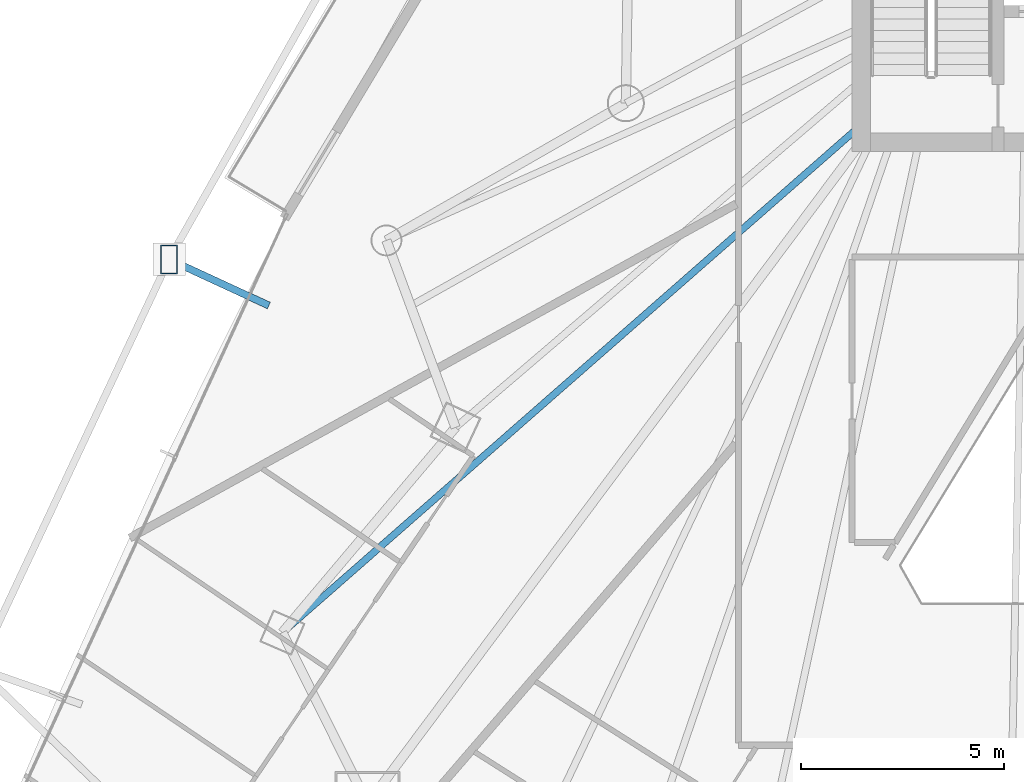
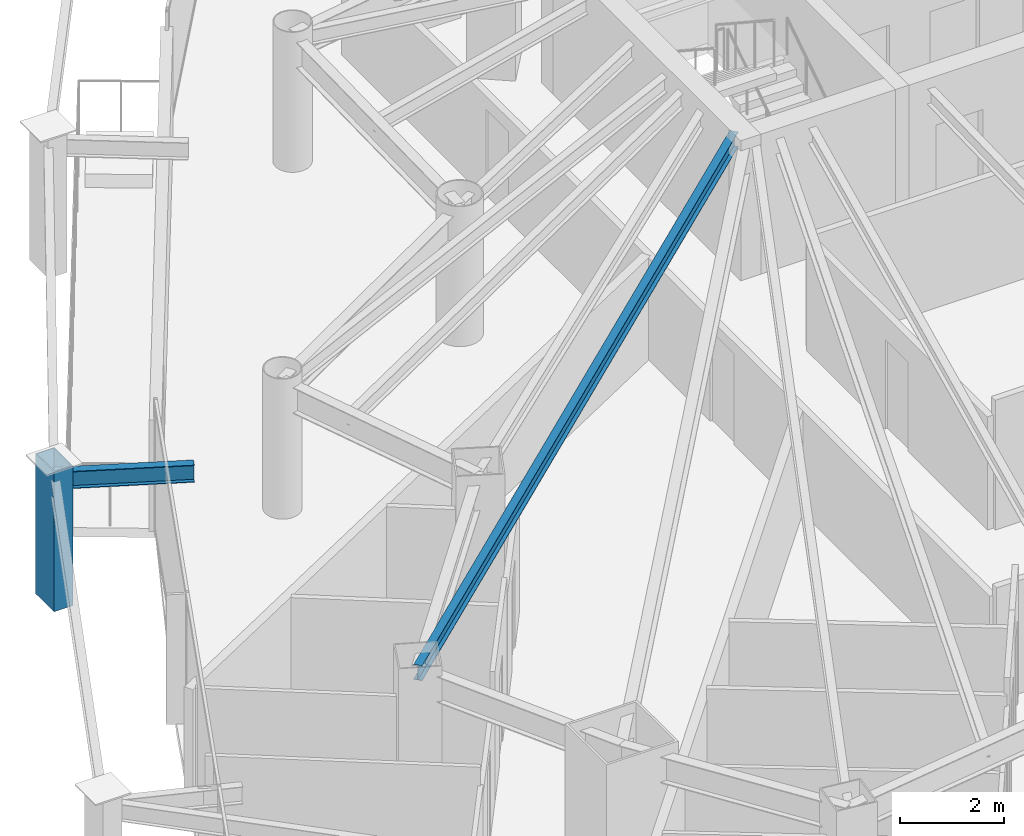
# One storey, part 10 of 35: 2 beams, 1 member.
"""IFC4 building model written with IfcOpenShell, lengths in metres."""

from ifc_helpers import new_model, si_unit, direction, frame, origin, origin_2d, place, context, subcontext, project, spatial, hollow_rectangle, i_section, extrude, material, material_profile, profile_set, type_object, element, save


model = new_model("IFC4")

# Units and contexts
model_context = context("Model", 3, precision=1e-05, world=origin(), true_north=direction((0.0, 1.0)))
body_context = subcontext(model_context, "Body", "Model", "MODEL_VIEW")
ifc_project = project(units=[si_unit("LENGTHUNIT", "METRE"), si_unit("AREAUNIT", "SQUARE_METRE"), si_unit("VOLUMEUNIT", "CUBIC_METRE"), si_unit("PLANEANGLEUNIT", "RADIAN"), si_unit("MASSUNIT", "GRAM", prefix="KILO")], contexts=[model_context])

# Site, building, storey
site_placement = place(None, origin())
site = spatial("IfcSite", under=ifc_project, at=site_placement, CompositionType="ELEMENT")
building_placement = place(site_placement, origin())
building = spatial("IfcBuilding", under=site, at=building_placement, Name="Orvanel Arch Residences", CompositionType="ELEMENT")
storey_placement = place(building_placement, frame((0.0, 0.0, 30.199951171875)))
storey = spatial("IfcBuildingStorey", under=building, at=storey_placement, Name="L07", CompositionType="ELEMENT", Elevation=30.199951171875)

# Beam
ifc_material_1 = material(Name="Structural steel AS/NZS 3679.1 Grade 300 (300 MPa)", Category="steel")
ifc_material_profile_1 = material_profile(ifc_material_1, i_section(OverallWidth=0.1708984375, OverallDepth=0.35595703125, WebThickness=0.00732421875, FlangeThickness=0.011474609375, at=origin_2d()), Name="360UB50.7")
ifc_profile_set_1 = profile_set([ifc_material_profile_1], Name="Structural steel AS/NZS 3679.1 Grade 300 (300 MPa)")
beam_type_1 = type_object("IfcBeamType", Name="BJ-360UB", PredefinedType="JOIST", material=ifc_profile_set_1)
beam_1_placement = place(storey_placement, frame((26.375, 27.10009765625, 2.882080078125), z_axis=(-0.751924114057, -0.659249669472, 0.0), x_axis=(0.659249669472, -0.751924114057, 0.0)))
element("IfcBeam", 1, at=beam_1_placement, inside=storey, type_object=beam_type_1, Name="L07 MW Wing Floor Joist", PredefinedType="JOIST", context=body_context, shape_type="SweptSolid", body=[
    extrude(i_section(OverallWidth=0.1708984375, OverallDepth=0.35595703125, WebThickness=0.00732421875, FlangeThickness=0.011474609375, at=origin_2d()), origin(), (0.0, 0.0, 1.0), 18.9912109375),
])

# Member
ifc_material_2 = material(Name="Structural steel AS/NZS 3678 Grade 350", Category="steel")
ifc_material_profile_2 = material_profile(ifc_material_2, hollow_rectangle(XDim=0.419921875, YDim=0.719970703125, WallThickness=0.02490234375, at=origin_2d()), Name="RHS720x420x25")
ifc_profile_set_2 = profile_set([ifc_material_profile_2], Name="Structural steel AS/NZS 3678 Grade 350")
member_type = type_object("IfcMemberType", Name="CH-720RHS-EXT", PredefinedType="CHORD", material=ifc_profile_set_2)
member_placement = place(storey_placement, frame((9.300048828125, 23.787109375, 0.0), z_axis=(0.0, 0.0, 1.0), x_axis=(1.0, 0.0, 0.0)))
element("IfcMember", 2, at=member_placement, inside=storey, type_object=member_type, Name="L07 Outer Perimeter Frame Post 03", PredefinedType="CHORD", context=body_context, shape_type="SweptSolid", body=[
    extrude(hollow_rectangle(XDim=0.419921875, YDim=0.719970703125, WallThickness=0.02490234375, at=origin_2d()), origin(), (0.0, 0.0, 1.0), 3.300048828125),
])

# Beam
ifc_material_profile_3 = material_profile(ifc_material_1, i_section(OverallWidth=0.177978515625, OverallDepth=0.406005859375, WebThickness=0.0078125, FlangeThickness=0.0126953125, at=origin_2d()), Name="410UB59.7")
ifc_profile_set_3 = profile_set([ifc_material_profile_3], Name="Structural steel AS/NZS 3679.1 Grade 300 (300 MPa)")
beam_type_2 = type_object("IfcBeamType", Name="OB-410UB-EXT", PredefinedType="SPANDREL", material=ifc_profile_set_3)
beam_2_placement = place(storey_placement, frame((11.761962890625, 22.64892578125, 2.85693359375), z_axis=(-0.907690476268, 0.419640321337, 0.0), x_axis=(-0.419640321337, -0.907690476268, 0.0)))
element("IfcBeam", 3, at=beam_2_placement, inside=storey, type_object=beam_type_2, Name="L07 Outer Frame Radial Tie Beam 03", PredefinedType="SPANDREL", context=body_context, shape_type="SweptSolid", body=[
    extrude(i_section(OverallWidth=0.177978515625, OverallDepth=0.406005859375, WebThickness=0.0078125, FlangeThickness=0.0126953125, at=origin_2d()), origin(), (0.0, 0.0, 1.0), 2.71240234375),
])

save(model, "model.ifc")
